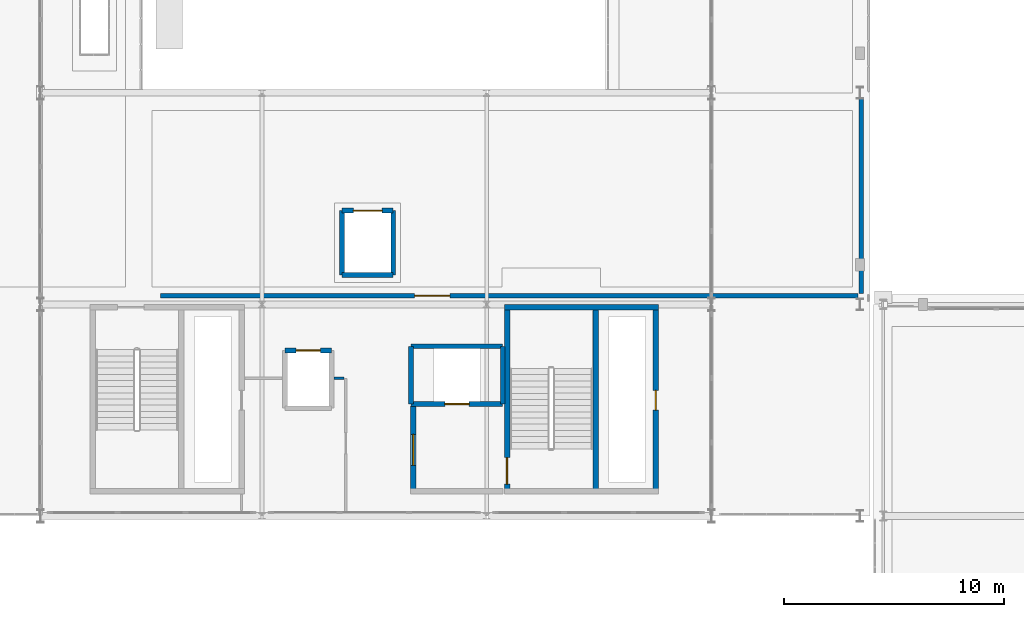
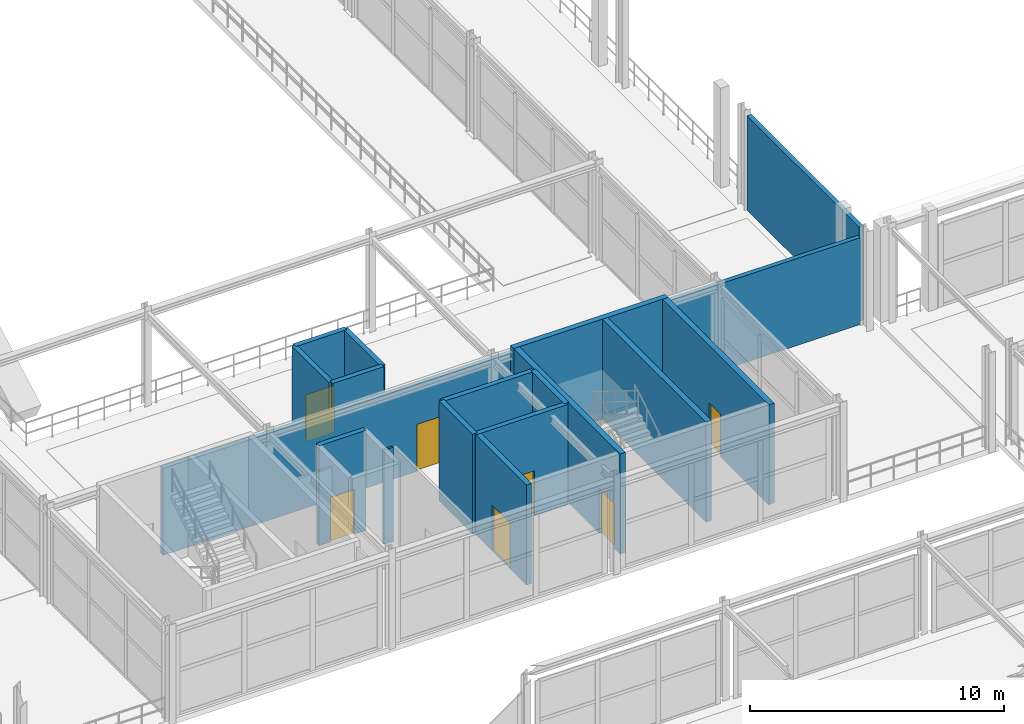
# One storey, part 75 of 125: 17 walls, 7 doors, 7 openings.
"""IFC4 building model written with IfcOpenShell, lengths in metres."""

import ifcopenshell
import ifcopenshell.guid

model = None  # the IFC model being written
_history = None  # IfcOwnerHistory: only IFC2X3 demands one
_inside = {}  # id of a spatial element -> (the spatial element, [elements in it])
_under = {}  # id of a project, library or spatial element -> (it, [spatial elements below it])
_declared = {}  # id of a project -> (the project, [libraries it declares])
_typed = {}  # id of a type object -> (the type object, [elements of that type])
_made_of = {}  # id of a material, layer set ... -> (it, [elements and type objects made of it])


def new_model(schema):
    """Start an empty IFC model of exactly this schema.

    Asked for "IFC4X3", IfcOpenShell would pick the latest addendum, in which some entities
    have other attributes; the version numbers below select the first issue.
    IFC2X3 requires an IfcOwnerHistory on every rooted entity: one is made here for all.
    """
    global model, _history
    if schema == "IFC4X3":
        model = ifcopenshell.file(schema_version=(4, 3, 0, 0))
    else:
        model = ifcopenshell.file(schema=schema)
    _inside.clear()
    _under.clear()
    _declared.clear()
    _typed.clear()
    _made_of.clear()
    _history = None
    if model.schema == "IFC2X3":
        org = make("IfcOrganization", Name="unknown")
        user = make(
            "IfcPersonAndOrganization",
            ThePerson=make("IfcPerson", FamilyName="unknown"),
            TheOrganization=org,
        )
        app = make(
            "IfcApplication",
            ApplicationDeveloper=org,
            Version="unknown",
            ApplicationFullName="unknown",
            ApplicationIdentifier="unknown",
        )
        _history = make(
            "IfcOwnerHistory",
            OwningUser=user,
            OwningApplication=app,
            ChangeAction="ADDED",
            CreationDate=0,
        )
    return model


def make(cls, **values):
    """One entity of the class cls with the attributes given. An attribute that is None is left unset."""
    return model.create_entity(
        cls, **{name: value for name, value in values.items() if value is not None}
    )


def rooted(cls, **values):
    """An entity with a GlobalId (a new one), such as an element, a storey or a relation."""
    return make(cls, GlobalId=ifcopenshell.guid.new(), OwnerHistory=_history, **values)


def si_unit(unit_type, name, prefix=None):
    """IfcSIUnit, for example si_unit("LENGTHUNIT", "METRE", prefix="MILLI")."""
    return make("IfcSIUnit", UnitType=unit_type, Prefix=prefix, Name=name)


def assignment(units):
    """IfcUnitAssignment: the units of a project."""
    return None if units is None else make("IfcUnitAssignment", Units=units)


def point(xyz):
    """IfcCartesianPoint."""
    return None if xyz is None else make("IfcCartesianPoint", Coordinates=xyz)


def direction(xyz):
    """IfcDirection."""
    return None if xyz is None else make("IfcDirection", DirectionRatios=xyz)


def frame(location, z_axis=None, x_axis=None):
    """IfcAxis2Placement3D, a coordinate frame: its origin and axes. An axis left out is left unset."""
    return make(
        "IfcAxis2Placement3D",
        Location=point(location),
        Axis=direction(z_axis),
        RefDirection=direction(x_axis),
    )


def frame_2d(location, x_axis=None):
    """IfcAxis2Placement2D, a coordinate frame in the plane: its origin and x axis."""
    return make(
        "IfcAxis2Placement2D", Location=point(location), RefDirection=direction(x_axis)
    )


def origin():
    """The frame at (0, 0, 0) with its axes left unset."""
    return frame((0.0, 0.0, 0.0))


def place(relative_to, where):
    """IfcLocalPlacement: puts the frame where relative to a parent placement (None: the world)."""
    return make(
        "IfcLocalPlacement", PlacementRelTo=relative_to, RelativePlacement=where
    )


def context(
    kind, dimensions, precision=None, world=None, true_north=None, identifier=None
):
    """IfcGeometricRepresentationContext, for example the 3D "Model" context."""
    return make(
        "IfcGeometricRepresentationContext",
        ContextIdentifier=identifier,
        ContextType=kind,
        CoordinateSpaceDimension=dimensions,
        Precision=precision,
        WorldCoordinateSystem=world,
        TrueNorth=true_north,
    )


def subcontext(parent, identifier, kind, view, scale=None):
    """IfcGeometricRepresentationSubContext, for example "Body" below "Model"."""
    return make(
        "IfcGeometricRepresentationSubContext",
        ContextIdentifier=identifier,
        ContextType=kind,
        ParentContext=parent,
        TargetScale=scale,
        TargetView=view,
    )


def project(units=None, contexts=None):
    """IfcProject with its units and contexts."""
    return rooted(
        "IfcProject",
        Name="project",
        RepresentationContexts=contexts,
        UnitsInContext=assignment(units),
    )


def spatial(cls, under=None, at=None, **own):
    """A site, building, storey or space (cls), placed at a placement, below another one or the project."""
    s = rooted(cls, ObjectPlacement=at, **own)
    if under is not None:
        _under.setdefault(under.id(), (under, []))[1].append(s)
    return s


def profile(cls, at=None, kind="AREA", **sizes):
    """A parametric profile (cls). Its sizes go by their IFC names, for example OverallWidth=200.0."""
    return make(cls, ProfileType=kind, Position=at, **sizes)


def rectangle(**sizes):
    """IfcRectangleProfileDef."""
    return profile("IfcRectangleProfileDef", **sizes)


def extrude(swept, where, along, depth):
    """IfcExtrudedAreaSolid: the profile swept, set in the frame where, extruded along a direction by depth."""
    return make(
        "IfcExtrudedAreaSolid",
        SweptArea=swept,
        Position=where,
        ExtrudedDirection=direction(along),
        Depth=depth,
    )


def shape(context_of_items, identifier, shape_type, items):
    """IfcShapeRepresentation: the items that make up one representation, for example the "Body"."""
    return make(
        "IfcShapeRepresentation",
        ContextOfItems=context_of_items,
        RepresentationIdentifier=identifier,
        RepresentationType=shape_type,
        Items=items,
    )


def material(Name=None, Category=None):
    """IfcMaterial."""
    return make("IfcMaterial", Name=Name, Category=Category)


def layer(
    of_material, thickness, ventilated=None, Name=None, Category=None, Priority=None
):
    """IfcMaterialLayer: one layer of a wall or slab, of a material (None: an air gap)."""
    return make(
        "IfcMaterialLayer",
        Material=of_material,
        LayerThickness=thickness,
        IsVentilated=ventilated,
        Name=Name,
        Category=Category,
        Priority=Priority,
    )


def layer_set(layers, Name=None):
    """IfcMaterialLayerSet."""
    return make("IfcMaterialLayerSet", MaterialLayers=layers, LayerSetName=Name)


def made_of(thing, what):
    """Note that an element or type object is made of a material, layer set ...; save() writes the relation."""
    if what is not None:
        _made_of.setdefault(what.id(), (what, []))[1].append(thing)
    return thing


def type_object(cls, material=None, **own):
    """A type object (cls), such as IfcWallType, which elements share."""
    return made_of(rooted(cls, **own), material)


def element(
    cls,
    number,
    at=None,
    inside=None,
    cuts=None,
    type_object=None,
    material=None,
    context=None,
    identifier="Body",
    shape_type=None,
    held_by="IfcProductDefinitionShape",
    body=None,
    shapes=None,
    **own,
):
    """One element of the class cls, such as IfcWall. Its Tag is "e" and its number.

    at: its placement. inside: the storey or other place that contains it. cuts: it is an
    opening in that element (IfcRelVoidsElement). A single representation is given by context,
    identifier, shape_type and body (its items); several are given by shapes. held_by: the class
    of the entity that holds the representations. save() writes the other relations.
    """
    e = rooted(cls, Tag="e%d" % number, ObjectPlacement=at, **own)
    if body is not None:
        shapes = [shape(context, identifier, shape_type, body)]
    if shapes is not None:
        e.Representation = make(held_by, Representations=shapes)
    if inside is not None:
        _inside.setdefault(inside.id(), (inside, []))[1].append(e)
    if cuts is not None:
        rooted(
            "IfcRelVoidsElement", RelatingBuildingElement=cuts, RelatedOpeningElement=e
        )
    if type_object is not None:
        _typed.setdefault(type_object.id(), (type_object, []))[1].append(e)
    return made_of(e, material)


def fill(opening, filler):
    """IfcRelFillsElement: the door or window that sits in an opening."""
    return rooted(
        "IfcRelFillsElement",
        RelatingOpeningElement=opening,
        RelatedBuildingElement=filler,
    )


def aggregate(whole, parts):
    """IfcRelAggregates: a whole, such as a stair, and the parts it consists of."""
    return rooted("IfcRelAggregates", RelatingObject=whole, RelatedObjects=parts)


def save(model, path):
    """Write the relations noted so far, then the file.

    IfcRelAggregates (storeys below a building ...), IfcRelContainedInSpatialStructure (elements
    in a storey), IfcRelDefinesByType, IfcRelAssociatesMaterial and IfcRelDeclares: one each for
    every whole, place, type object, material and project.
    """
    for whole, parts in _under.values():
        aggregate(whole, parts)
    for where, things in _inside.values():
        rooted(
            "IfcRelContainedInSpatialStructure",
            RelatedElements=things,
            RelatingStructure=where,
        )
    for kind, things in _typed.values():
        rooted("IfcRelDefinesByType", RelatedObjects=things, RelatingType=kind)
    for what, things in _made_of.values():
        rooted("IfcRelAssociatesMaterial", RelatedObjects=things, RelatingMaterial=what)
    for by, libraries in _declared.values():
        rooted("IfcRelDeclares", RelatingContext=by, RelatedDefinitions=libraries)
    model.write(path)


model = new_model("IFC4")

# Units and contexts
model_context = context("Model", 3, precision=1e-05, world=origin(), true_north=direction((0.0, 1.0)))
body_context = subcontext(model_context, "Body", "Model", "MODEL_VIEW")
ifc_project = project(units=[si_unit("LENGTHUNIT", "METRE"), si_unit("AREAUNIT", "SQUARE_METRE"), si_unit("VOLUMEUNIT", "CUBIC_METRE"), si_unit("PLANEANGLEUNIT", "RADIAN"), si_unit("MASSUNIT", "GRAM", prefix="KILO")], contexts=[model_context])

# Site, building, storey
site_placement = place(None, origin())
site = spatial("IfcSite", under=ifc_project, at=site_placement, CompositionType="ELEMENT")
building_placement = place(site_placement, origin())
building = spatial("IfcBuilding", under=site, at=building_placement, Name="Myrtia Square Station", CompositionType="ELEMENT")
storey_placement = place(building_placement, frame((0.0, 0.0, 6.0)))
storey = spatial("IfcBuildingStorey", under=building, at=storey_placement, Name="L01", CompositionType="ELEMENT", Elevation=6.0)

# Wall
ifc_material_1 = material(Name="Concrete C35/45", Category="concrete")
ifc_layer_1 = layer(ifc_material_1, 0.25, Name="Concrete C35/45")
ifc_layer_set_1 = layer_set([ifc_layer_1], Name="Concrete C35/45")
wall_type_1 = type_object("IfcWallType", Name="WL-CORE-250", PredefinedType="SHEAR", material=ifc_layer_set_1)
wall_1_placement = place(storey_placement, frame((100.39990234375, 38.27490234375, 0.0), z_axis=(0.0, 0.0, 1.0), x_axis=(1.0, 0.0, 0.0)))
element("IfcWall", 1, at=wall_1_placement, inside=storey, type_object=wall_type_1, Name="Core K3 shear wall L01 N", PredefinedType="SHEAR", context=body_context, shape_type="SweptSolid", body=[
    extrude(rectangle(XDim=7.0, YDim=0.25, at=frame_2d((3.5, 0.0))), origin(), (0.0, 0.0, 1.0), 4.800048828125),
])

# Wall, opening, door
wall_2_placement = place(storey_placement, frame((100.52490234375, 29.800048828125, 0.0), z_axis=(0.0, 0.0, 1.0), x_axis=(0.0, 1.0, 0.0)))
wall_2 = element("IfcWall", 2, at=wall_2_placement, inside=storey, type_object=wall_type_1, Name="Core K3 shear wall L01 W", PredefinedType="SHEAR", context=body_context, shape_type="SweptSolid", body=[
    extrude(rectangle(XDim=8.599853515625, YDim=0.25, at=frame_2d((4.2998046875, 0.0))), origin(), (0.0, 0.0, 1.0), 4.800048828125),
])
opening_1_placement = place(wall_2_placement, frame((0.449951171875, 0.0, 0.0)))
opening_1 = element("IfcOpeningElement", 3, at=opening_1_placement, cuts=wall_2, Name="Opening SD-027", PredefinedType="OPENING", context=body_context, shape_type="SweptSolid", body=[
    extrude(rectangle(XDim=1.199951171875, YDim=2.14990234375, at=frame_2d((0.60009765625, 1.074951171875))), frame((0.0, 0.139892578125, 0.0), z_axis=(0.0, -1.0, 0.0), x_axis=(1.0, 0.0, 0.0)), (0.0, 0.0, 1.0), 0.280029296875),
])
ifc_material_2 = material(Name="Dark bronze anodised aluminium", Category="aluminium")
door_type_1 = type_object("IfcDoorType", Name="DR-STAIR-1200x2150", OperationType="NOTDEFINED", PredefinedType="DOOR", material=ifc_material_2)
door_1_placement = place(opening_1_placement, frame((1.199951171875, 0.0, 0.0), z_axis=(0.0, 0.0, 1.0), x_axis=(-1.0, 0.0, 0.0)))
door_1 = element("IfcDoor", 4, at=door_1_placement, inside=storey, type_object=door_type_1, Name="Protected stair fire door K3 L01", OperationType="SINGLE_SWING_LEFT", OverallHeight=2.14990234375, OverallWidth=1.199951171875, PredefinedType="DOOR", context=body_context, shape_type="SweptSolid", body=[
    extrude(rectangle(XDim=1.199951171875, YDim=2.14990234375, at=frame_2d((0.60009765625, 1.074951171875))), frame((0.0, 0.02490234375, 0.0), z_axis=(0.0, -1.0, 0.0), x_axis=(1.0, 0.0, 0.0)), (0.0, 0.0, 1.0), 0.050048828125),
])
fill(opening_1, door_1)

wall_3_placement = place(storey_placement, frame((107.27490234375, 29.800048828125, 0.0), z_axis=(0.0, 0.0, 1.0), x_axis=(0.0, 1.0, 0.0)))
wall_3 = element("IfcWall", 5, at=wall_3_placement, inside=storey, type_object=wall_type_1, Name="Core K3 shear wall L01 E", PredefinedType="SHEAR", context=body_context, shape_type="SweptSolid", body=[
    extrude(rectangle(XDim=8.599853515625, YDim=0.25, at=frame_2d((4.2998046875, 0.0))), origin(), (0.0, 0.0, 1.0), 4.800048828125),
])
opening_2_placement = place(wall_3_placement, frame((3.800048828125, 0.0, 0.0)))
opening_2 = element("IfcOpeningElement", 6, at=opening_2_placement, cuts=wall_3, Name="Opening RD-028", PredefinedType="OPENING", context=body_context, shape_type="SweptSolid", body=[
    extrude(rectangle(XDim=0.89990234375, YDim=2.050048828125, at=frame_2d((0.449951171875, 1.02490234375))), frame((0.0, 0.139892578125, 0.0), z_axis=(0.0, -1.0, 0.0), x_axis=(1.0, 0.0, 0.0)), (0.0, 0.0, 1.0), 0.280029296875),
])
door_type_2 = type_object("IfcDoorType", Name="DR-RISER-900x2050", OperationType="NOTDEFINED", PredefinedType="DOOR", material=ifc_material_2)
door_2_placement = place(opening_2_placement, origin())
door_2 = element("IfcDoor", 7, at=door_2_placement, inside=storey, type_object=door_type_2, Name="Riser cupboard access door K3 L01", OperationType="SINGLE_SWING_RIGHT", OverallHeight=2.050048828125, OverallWidth=0.89990234375, PredefinedType="DOOR", context=body_context, shape_type="SweptSolid", body=[
    extrude(rectangle(XDim=0.89990234375, YDim=2.050048828125, at=frame_2d((0.449951171875, 1.02490234375))), frame((0.0, 0.02490234375, 0.0), z_axis=(0.0, -1.0, 0.0), x_axis=(1.0, 0.0, 0.0)), (0.0, 0.0, 1.0), 0.050048828125),
])
fill(opening_2, door_2)

# Wall
wall_4_placement = place(storey_placement, frame((104.5400390625, 30.0, 0.0), z_axis=(0.0, 0.0, 1.0), x_axis=(0.0, 1.0, 0.0)))
element("IfcWall", 8, at=wall_4_placement, inside=storey, type_object=wall_type_1, Name="Core K3 shear wall L01 D", PredefinedType="SHEAR", context=body_context, shape_type="SweptSolid", body=[
    extrude(rectangle(XDim=8.199951171875, YDim=0.25, at=frame_2d((4.10009765625, 0.0))), origin(), (0.0, 0.0, 1.0), 4.800048828125),
])

# Wall, opening, door
ifc_layer_2 = layer(ifc_material_1, 0.239990234375, Name="Concrete C35/45")
ifc_layer_set_2 = layer_set([ifc_layer_2], Name="Concrete C35/45")
wall_type_2 = type_object("IfcWallType", Name="WL-FFL-240", PredefinedType="SHEAR", material=ifc_layer_set_2)
wall_5_placement = place(storey_placement, frame((96.27001953125, 29.800048828125, 0.0), z_axis=(0.0, 0.0, 1.0), x_axis=(0.0, 1.0, 0.0)))
wall_5 = element("IfcWall", 9, at=wall_5_placement, inside=storey, type_object=wall_type_2, Name="Firefighting lift lobby EI 120 wall K3 L01 W", PredefinedType="SHEAR", context=body_context, shape_type="SweptSolid", body=[
    extrude(rectangle(XDim=4.0, YDim=0.239990234375, at=frame_2d((2.0, 0.0))), origin(), (0.0, 0.0, 1.0), 4.800048828125),
])
opening_3_placement = place(wall_5_placement, frame((1.300048828125, 0.0, 0.0)))
opening_3 = element("IfcOpeningElement", 10, at=opening_3_placement, cuts=wall_5, Name="Opening FD-029", PredefinedType="OPENING", context=body_context, shape_type="SweptSolid", body=[
    extrude(rectangle(XDim=1.39990234375, YDim=2.199951171875, at=frame_2d((0.699951171875, 1.10009765625))), frame((0.0, 0.135009765625, 0.0), z_axis=(0.0, -1.0, 0.0), x_axis=(1.0, 0.0, 0.0)), (0.0, 0.0, 1.0), 0.27001953125),
])
door_type_3 = type_object("IfcDoorType", Name="DR-FFL-1400x2200", OperationType="NOTDEFINED", PredefinedType="DOOR", material=ifc_material_2)
door_3_placement = place(opening_3_placement, origin())
door_3 = element("IfcDoor", 11, at=door_3_placement, inside=storey, type_object=door_type_3, Name="Firefighting lobby fire door K3 L01", OperationType="SINGLE_SWING_LEFT", OverallHeight=2.199951171875, OverallWidth=1.39990234375, PredefinedType="DOOR", context=body_context, shape_type="SweptSolid", body=[
    extrude(rectangle(XDim=1.39990234375, YDim=2.199951171875, at=frame_2d((0.699951171875, 1.10009765625))), frame((0.0, 0.02490234375, 0.0), z_axis=(0.0, -1.0, 0.0), x_axis=(1.0, 0.0, 0.0)), (0.0, 0.0, 1.0), 0.050048828125),
])
fill(opening_3, door_3)

ifc_layer_3 = layer(ifc_material_1, 0.219970703125, Name="Concrete C35/45")
ifc_layer_set_3 = layer_set([ifc_layer_3], Name="Concrete C35/45")
wall_type_3 = type_object("IfcWallType", Name="WL-LIFT-220", PredefinedType="SHEAR", material=ifc_layer_set_3)
wall_6_placement = place(storey_placement, frame((90.43994140625, 36.31005859375, 0.0), z_axis=(0.0, 0.0, 1.0), x_axis=(1.0, 0.0, 0.0)))
wall_6 = element("IfcWall", 12, at=wall_6_placement, inside=storey, type_object=wall_type_3, Name="Lift shaft wall PL-05 L01 +Y", PredefinedType="SHEAR", context=body_context, shape_type="SweptSolid", body=[
    extrude(rectangle(XDim=2.1201171875, YDim=0.219970703125, at=frame_2d((1.06005859375, 0.0))), origin(), (0.0, 0.0, 1.0), 4.800048828125),
])
opening_4_placement = place(wall_6_placement, frame((0.510009765625, 0.0, 0.0)))
opening_4 = element("IfcOpeningElement", 13, at=opening_4_placement, cuts=wall_6, Name="Opening LD-PL-05", PredefinedType="OPENING", context=body_context, shape_type="SweptSolid", body=[
    extrude(rectangle(XDim=1.10009765625, YDim=2.14990234375, at=frame_2d((0.550048828125, 1.074951171875))), frame((0.0, 0.125, 0.0), z_axis=(0.0, -1.0, 0.0), x_axis=(1.0, 0.0, 0.0)), (0.0, 0.0, 1.0), 0.25),
])
door_type_4 = type_object("IfcDoorType", Name="DR-LIFT-1100x2150", OperationType="NOTDEFINED", PredefinedType="DOOR", material=ifc_material_2)
door_4_placement = place(opening_4_placement, origin())
door_4 = element("IfcDoor", 14, at=door_4_placement, inside=storey, type_object=door_type_4, Name="Lift landing door PL-05 L01", OperationType="SLIDING_TO_LEFT", OverallHeight=2.14990234375, OverallWidth=1.10009765625, PredefinedType="DOOR", context=body_context, shape_type="SweptSolid", body=[
    extrude(rectangle(XDim=1.10009765625, YDim=2.14990234375, at=frame_2d((0.550048828125, 1.074951171875))), frame((0.0, 0.02490234375, 0.0), z_axis=(0.0, -1.0, 0.0), x_axis=(1.0, 0.0, 0.0)), (0.0, 0.0, 1.0), 0.050048828125),
])
fill(opening_4, door_4)

wall_7_placement = place(storey_placement, frame((96.169921875, 33.8798828125, 0.0), z_axis=(0.0, 0.0, 1.0), x_axis=(1.0, 0.0, 0.0)))
wall_7 = element("IfcWall", 15, at=wall_7_placement, inside=storey, type_object=wall_type_3, Name="Lift shaft wall FFL-01 L01 -Y", PredefinedType="SHEAR", context=body_context, shape_type="SweptSolid", body=[
    extrude(rectangle(XDim=4.16015625, YDim=0.219970703125, at=frame_2d((2.080078125, 0.0))), origin(), (0.0, 0.0, 1.0), 4.800048828125),
])
opening_5_placement = place(wall_7_placement, frame((1.530029296875, 0.0, 0.0)))
opening_5 = element("IfcOpeningElement", 16, at=opening_5_placement, cuts=wall_7, Name="Opening LD-FFL-01", PredefinedType="OPENING", context=body_context, shape_type="SweptSolid", body=[
    extrude(rectangle(XDim=1.10009765625, YDim=2.14990234375, at=frame_2d((0.550048828125, 1.074951171875))), frame((0.0, 0.125, 0.0), z_axis=(0.0, -1.0, 0.0), x_axis=(1.0, 0.0, 0.0)), (0.0, 0.0, 1.0), 0.25),
])
door_5_placement = place(opening_5_placement, origin())
door_5 = element("IfcDoor", 17, at=door_5_placement, inside=storey, type_object=door_type_4, Name="Lift landing door FFL-01 L01", OperationType="SLIDING_TO_RIGHT", OverallHeight=2.14990234375, OverallWidth=1.10009765625, PredefinedType="DOOR", context=body_context, shape_type="SweptSolid", body=[
    extrude(rectangle(XDim=1.10009765625, YDim=2.14990234375, at=frame_2d((0.550048828125, 1.074951171875))), frame((0.0, 0.02490234375, 0.0), z_axis=(0.0, -1.0, 0.0), x_axis=(1.0, 0.0, 0.0)), (0.0, 0.0, 1.0), 0.050048828125),
])
fill(opening_5, door_5)

# Walls
wall_8_placement = place(storey_placement, frame((96.169921875, 36.5, 0.0), z_axis=(0.0, 0.0, 1.0), x_axis=(1.0, 0.0, 0.0)))
element("IfcWall", 18, at=wall_8_placement, inside=storey, type_object=wall_type_3, Name="Lift shaft wall FFL-01 L01 +Y", PredefinedType="SHEAR", context=body_context, shape_type="SweptSolid", body=[
    extrude(rectangle(XDim=4.16015625, YDim=0.219970703125, at=frame_2d((2.080078125, 0.0))), origin(), (0.0, 0.0, 1.0), 4.800048828125),
])
for number, where, z_axis, x_axis, name in (
    (19, (96.169921875, 33.8798828125, 0.0), (0.0, 0.0, 1.0), (0.0, 1.0, 0.0), "Lift shaft wall FFL-01 L01 -X"),
    (20, (100.330078125, 33.8798828125, 0.0), (0.0, 0.0, 1.0), (0.0, 1.0, 0.0), "Lift shaft wall FFL-01 L01 +X"),
):
    element("IfcWall", number, at=place(storey_placement, frame(where, z_axis=z_axis, x_axis=x_axis)), inside=storey, type_object=wall_type_3, Name=name, PredefinedType="SHEAR", context=body_context, shape_type="SweptSolid", body=[
        extrude(rectangle(XDim=2.6201171875, YDim=0.219970703125, at=frame_2d((1.31005859375, 0.0))), origin(), (0.0, 0.0, 1.0), 4.800048828125),
    ])
wall_9_placement = place(storey_placement, frame((93.0400390625, 39.739990234375, 0.0), z_axis=(0.0, 0.0, 1.0), x_axis=(1.0, 0.0, 0.0)))
element("IfcWall", 21, at=wall_9_placement, inside=storey, type_object=wall_type_3, Name="Lift shaft wall GL-01 L01 -Y", PredefinedType="SHEAR", context=body_context, shape_type="SweptSolid", body=[
    extrude(rectangle(XDim=2.320068359375, YDim=0.219970703125, at=frame_2d((1.16015625, 0.0))), origin(), (0.0, 0.0, 1.0), 4.800048828125),
])

# Wall, opening, door
wall_10_placement = place(storey_placement, frame((93.0400390625, 42.659912109375, 0.0), z_axis=(0.0, 0.0, 1.0), x_axis=(1.0, 0.0, 0.0)))
wall_10 = element("IfcWall", 22, at=wall_10_placement, inside=storey, type_object=wall_type_3, Name="Lift shaft wall GL-01 L01 +Y", PredefinedType="SHEAR", context=body_context, shape_type="SweptSolid", body=[
    extrude(rectangle(XDim=2.320068359375, YDim=0.219970703125, at=frame_2d((1.16015625, 0.0))), origin(), (0.0, 0.0, 1.0), 4.800048828125),
])
opening_6_placement = place(wall_10_placement, frame((0.510009765625, 0.0, 0.0)))
opening_6 = element("IfcOpeningElement", 23, at=opening_6_placement, cuts=wall_10, Name="Opening LD-GL-01", PredefinedType="OPENING", context=body_context, shape_type="SweptSolid", body=[
    extrude(rectangle(XDim=1.300048828125, YDim=2.25, at=frame_2d((0.64990234375, 1.125))), frame((0.0, 0.125, 0.0), z_axis=(0.0, -1.0, 0.0), x_axis=(1.0, 0.0, 0.0)), (0.0, 0.0, 1.0), 0.25),
])
door_type_5 = type_object("IfcDoorType", Name="DR-LIFT-1300x2250", OperationType="NOTDEFINED", PredefinedType="DOOR", material=ifc_material_2)
door_6_placement = place(opening_6_placement, origin())
door_6 = element("IfcDoor", 24, at=door_6_placement, inside=storey, type_object=door_type_5, Name="Lift landing door GL-01 L01", OperationType="SLIDING_TO_RIGHT", OverallHeight=2.25, OverallWidth=1.300048828125, PredefinedType="DOOR", context=body_context, shape_type="SweptSolid", body=[
    extrude(rectangle(XDim=1.300048828125, YDim=2.25, at=frame_2d((0.64990234375, 1.125))), frame((0.0, 0.02490234375, 0.0), z_axis=(0.0, -1.0, 0.0), x_axis=(1.0, 0.0, 0.0)), (0.0, 0.0, 1.0), 0.050048828125),
])
fill(opening_6, door_6)

# Walls
for number, where, z_axis, x_axis, name in (
    (25, (93.0400390625, 39.739990234375, 0.0), (0.0, 0.0, 1.0), (0.0, 1.0, 0.0), "Lift shaft wall GL-01 L01 -X"),
    (26, (95.360107421875, 39.739990234375, 0.0), (0.0, 0.0, 1.0), (0.0, 1.0, 0.0), "Lift shaft wall GL-01 L01 +X"),
):
    element("IfcWall", number, at=place(storey_placement, frame(where, z_axis=z_axis, x_axis=x_axis)), inside=storey, type_object=wall_type_3, Name=name, PredefinedType="SHEAR", context=body_context, shape_type="SweptSolid", body=[
        extrude(rectangle(XDim=2.919921875, YDim=0.219970703125, at=frame_2d((1.4599609375, 0.0))), origin(), (0.0, 0.0, 1.0), 4.800048828125),
    ])
ifc_material_3 = material(Name="Gypsum plasterboard")
ifc_layer_4 = layer(ifc_material_3, 0.10009765625, Name="Gypsum plasterboard")
ifc_layer_set_4 = layer_set([ifc_layer_4], Name="Gypsum plasterboard")
wall_type_4 = type_object("IfcWallType", Name="WL-PART-100", PredefinedType="PARTITIONING", material=ifc_layer_set_4)
wall_11_placement = place(storey_placement, frame((92.679931640625, 35.050048828125, 0.0), z_axis=(0.0, 0.0, 1.0), x_axis=(1.0, 0.0, 0.0)))
element("IfcWall", 27, at=wall_11_placement, inside=storey, type_object=wall_type_4, Name="Sanitary enclosure partition L01-08", PredefinedType="PARTITIONING", context=body_context, shape_type="SweptSolid", body=[
    extrude(rectangle(XDim=0.440185546875, YDim=0.10009765625, at=frame_2d((0.22021484375, 0.0))), origin(), (0.0, 0.0, 1.0), 4.530029296875),
])

# Wall, opening, door
ifc_material_4 = material(Name="Cream lime stucco on clay brick masonry", Category="masonry")
ifc_layer_5 = layer(ifc_material_4, 0.199951171875, Name="Cream lime stucco on clay brick masonry")
ifc_layer_set_5 = layer_set([ifc_layer_5], Name="Cream lime stucco on clay brick masonry")
wall_type_5 = type_object("IfcWallType", Name="WL-PART-200", PredefinedType="PARTITIONING", material=ifc_layer_set_5)
wall_12_placement = place(storey_placement, frame((84.800048828125, 38.800048828125, 0.0), z_axis=(0.0, 0.0, 1.0), x_axis=(1.0, 0.0, 0.0)))
wall_12 = element("IfcWall", 28, at=wall_12_placement, inside=storey, type_object=wall_type_5, Name="Interior partition wall L01-06", PredefinedType="PARTITIONING", context=body_context, shape_type="SweptSolid", body=[
    extrude(rectangle(XDim=31.64990234375, YDim=0.199951171875, at=frame_2d((15.824951171875, 0.0))), origin(), (0.0, 0.0, 1.0), 4.169921875),
])
opening_7_placement = place(wall_12_placement, frame((11.52490234375, 0.0, 0.0)))
opening_7 = element("IfcOpeningElement", 29, at=opening_7_placement, cuts=wall_12, Name="Opening D-238", PredefinedType="OPENING", context=body_context, shape_type="SweptSolid", body=[
    extrude(rectangle(XDim=1.60009765625, YDim=2.25, at=frame_2d((0.800048828125, 1.125))), frame((0.0, 0.114990234375, 0.0), z_axis=(0.0, -1.0, 0.0), x_axis=(1.0, 0.0, 0.0)), (0.0, 0.0, 1.0), 0.22998046875),
])
door_type_6 = type_object("IfcDoorType", Name="DR-CORR-1600x2250", OperationType="NOTDEFINED", PredefinedType="DOOR", material=ifc_material_2)
door_7_placement = place(opening_7_placement, frame((1.60009765625, 0.0, 0.0), z_axis=(0.0, 0.0, 1.0), x_axis=(-1.0, 0.0, 0.0)))
door_7 = element("IfcDoor", 30, at=door_7_placement, inside=storey, type_object=door_type_6, Name="South Concourse Departure Lounge door D-238", OperationType="DOUBLE_DOOR_SINGLE_SWING", OverallHeight=2.25, OverallWidth=1.60009765625, PredefinedType="DOOR", context=body_context, shape_type="SweptSolid", body=[
    extrude(rectangle(XDim=1.60009765625, YDim=2.25, at=frame_2d((0.800048828125, 1.125))), frame((0.0, 0.02490234375, 0.0), z_axis=(0.0, -1.0, 0.0), x_axis=(1.0, 0.0, 0.0)), (0.0, 0.0, 1.0), 0.050048828125),
])
fill(opening_7, door_7)

# Wall
wall_13_placement = place(storey_placement, frame((116.60009765625, 38.905029296875, 0.0), z_axis=(0.0, 0.0, 1.0), x_axis=(0.0, 1.0, 0.0)))
element("IfcWall", 31, at=wall_13_placement, inside=storey, type_object=wall_type_5, Name="Room divider partition L01-06", PredefinedType="PARTITIONING", context=body_context, shape_type="SweptSolid", body=[
    extrude(rectangle(XDim=8.820068359375, YDim=0.199951171875, at=frame_2d((4.41015625, 0.0))), origin(), (0.0, 0.0, 1.0), 4.530029296875),
])

save(model, "model.ifc")
